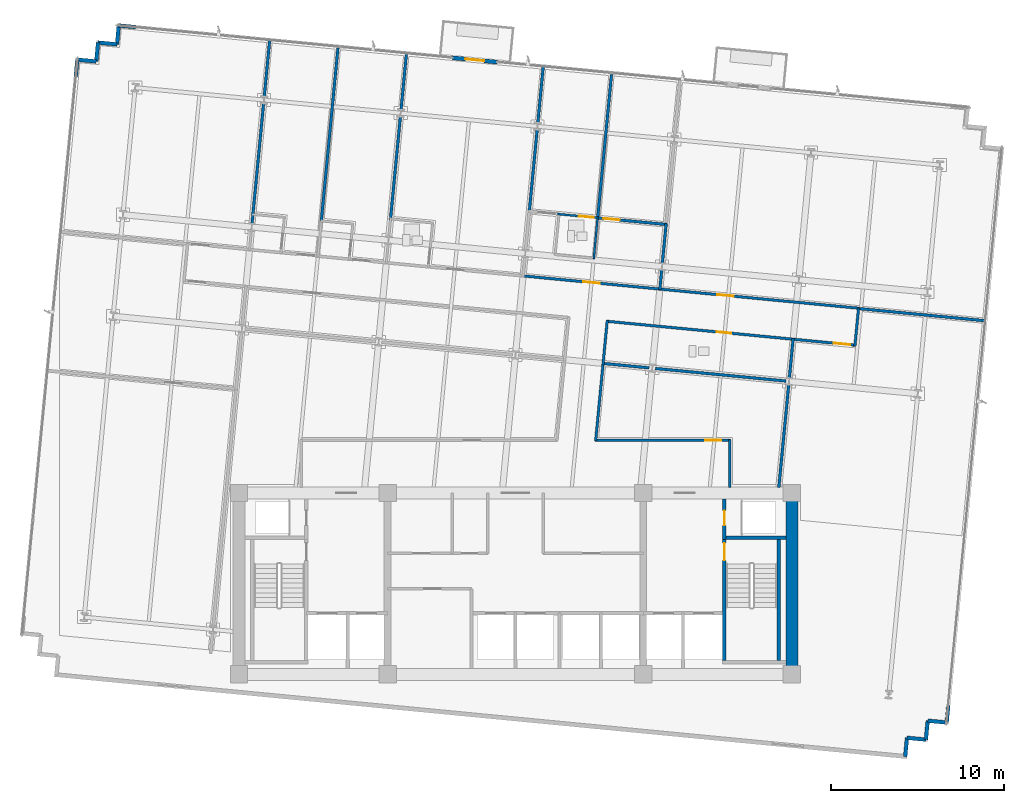
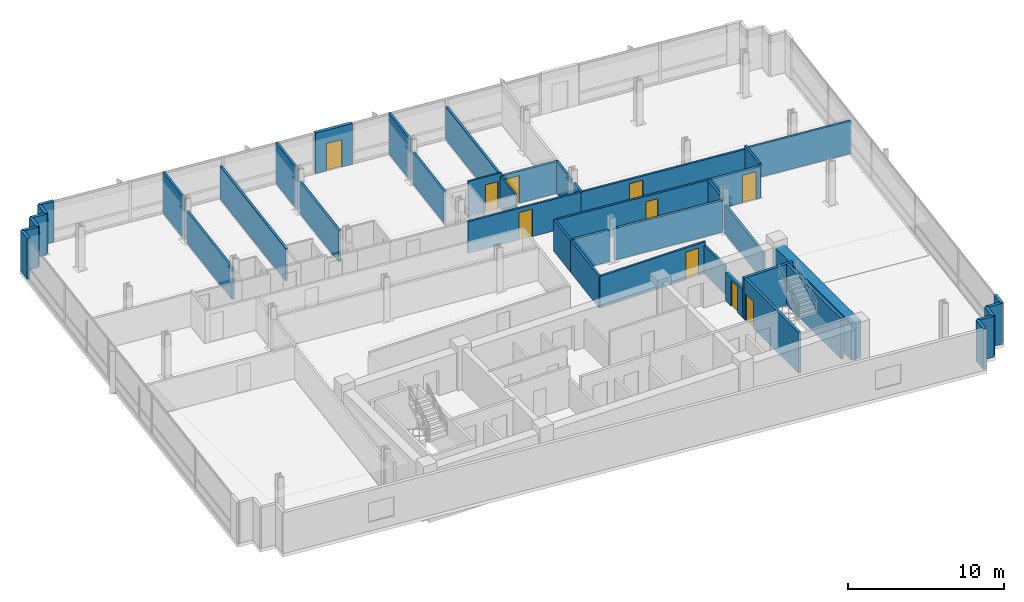
# One storey, part 12 of 17: 44 walls, 10 doors, 10 openings.
"""IFC4 building model written with IfcOpenShell, lengths in metres."""

from ifc_helpers import new_model, si_unit, direction, frame, frame_2d, origin, place, context, subcontext, project, spatial, rectangle, extrude, material, layer, layer_set, type_object, element, fill, save


model = new_model("IFC4")

# Units and contexts
model_context = context("Model", 3, precision=1e-05, world=origin(), true_north=direction((0.0, 1.0)))
body_context = subcontext(model_context, "Body", "Model", "MODEL_VIEW")
ifc_project = project(units=[si_unit("LENGTHUNIT", "METRE"), si_unit("AREAUNIT", "SQUARE_METRE"), si_unit("VOLUMEUNIT", "CUBIC_METRE"), si_unit("PLANEANGLEUNIT", "RADIAN"), si_unit("MASSUNIT", "GRAM", prefix="KILO")], contexts=[model_context])

# Site, building, storey
site_placement = place(None, origin())
site = spatial("IfcSite", under=ifc_project, at=site_placement, CompositionType="ELEMENT")
building_placement = place(site_placement, origin())
building = spatial("IfcBuilding", under=site, at=building_placement, Name="Solmavex Isthmus Hotel", CompositionType="ELEMENT")
storey_placement = place(building_placement, frame((0.0, 0.0, 156.60009765625)))
storey = spatial("IfcBuildingStorey", under=building, at=storey_placement, Name="L42", CompositionType="ELEMENT", Elevation=156.60009765625)

# Wall, opening, door
ifc_material_1 = material(Name="Precast Concrete C40/50", Category="concrete")
ifc_layer_1 = layer(ifc_material_1, 0.25)
ifc_layer_set_1 = layer_set([ifc_layer_1], Name="Precast Concrete C40/50")
wall_type_1 = type_object("IfcWallType", Name="EW-TWR-250", PredefinedType="STANDARD", material=ifc_layer_set_1)
wall_1_placement = place(storey_placement, frame((-3.64404296875, 22.698974609375, 0.0), z_axis=(0.0, 0.0, 1.0), x_axis=(0.995393186867, -0.095877022999, 0.0)))
wall_1 = element("IfcWall", 1, at=wall_1_placement, inside=storey, type_object=wall_type_1, Name="Exterior Balcony Door Wall L42-2", PredefinedType="STANDARD", context=body_context, shape_type="SweptSolid", body=[
    extrude(rectangle(XDim=2.599853515625, YDim=0.239990234375, at=frame_2d((1.2998046875, 0.0))), origin(), (0.0, 0.0, 1.0), 3.18994140625),
])
opening_1_placement = place(wall_1_placement, frame((0.75, 0.0, 0.0)))
opening_1 = element("IfcOpeningElement", 2, at=opening_1_placement, cuts=wall_1, Name="Opening ED-02", PredefinedType="OPENING", context=body_context, shape_type="SweptSolid", body=[
    extrude(rectangle(XDim=1.10009765625, YDim=2.14990234375, at=frame_2d((0.550048828125, 1.074951171875))), frame((0.0, 0.1298828125, 0.0), z_axis=(0.0, -1.0, 0.0), x_axis=(1.0, 0.0, 0.0)), (0.0, 0.0, 1.0), 0.260009765625),
])
ifc_material_2 = material(Name="Aluminium alloy 6063-T6", Category="aluminium")
door_type_1 = type_object("IfcDoorType", Name="EDR-BALC-1100", OperationType="NOTDEFINED", PredefinedType="DOOR", material=ifc_material_2)
door_1_placement = place(opening_1_placement, origin())
door_1 = element("IfcDoor", 3, at=door_1_placement, inside=storey, type_object=door_type_1, Name="Balcony & Terrace Glazed Door L42-2", OperationType="SINGLE_SWING_RIGHT", OverallHeight=2.14990234375, OverallWidth=1.10009765625, PredefinedType="DOOR", context=body_context, shape_type="SweptSolid", body=[
    extrude(rectangle(XDim=1.10009765625, YDim=2.14990234375, at=frame_2d((0.550048828125, 1.074951171875))), frame((0.0, 0.02490234375, 0.0), z_axis=(0.0, -1.0, 0.0), x_axis=(1.0, 0.0, 0.0)), (0.0, 0.0, 1.0), 0.050048828125),
])
fill(opening_1, door_1)

# Walls
wall_2_placement = place(storey_placement, frame((-25.46142578125, 21.60498046875, 0.0), z_axis=(0.0, 0.0, 1.0), x_axis=(0.095937974524, 0.995387314086, 0.0)))
element("IfcWall", 4, at=wall_2_placement, inside=storey, type_object=wall_type_1, Name="Serrated Corner Facade Panel L42-07", PredefinedType="STANDARD", context=body_context, shape_type="SweptSolid", body=[
    extrude(rectangle(XDim=0.989990234375, YDim=0.219970703125, at=frame_2d((0.4951171875, 0.0))), origin(), (0.0, 0.0, 1.0), 3.18994140625),
])
for number, where, z_axis, x_axis, name in (
    (5, (-25.366455078125, 22.59033203125, 0.0), (0.0, 0.0, 1.0), (0.995414313875, -0.095657429048, 0.0), "Serrated Corner Facade Panel L42-08"),
    (6, (-24.271484375, 22.485107421875, 0.0), (0.0, 0.0, 1.0), (0.095657429048, 0.995414313875, 0.0), "Serrated Corner Facade Panel L42-09"),
    (7, (-24.166259765625, 23.580078125, 0.0), (0.0, 0.0, 1.0), (0.995393156894, -0.095877334176, 0.0), "Serrated Corner Facade Panel L42-10"),
    (8, (-23.0712890625, 23.474609375, 0.0), (0.0, 0.0, 1.0), (0.095877334176, 0.995393156894, 0.0), "Serrated Corner Facade Panel L42-11"),
):
    element("IfcWall", number, at=place(storey_placement, frame(where, z_axis=z_axis, x_axis=x_axis)), inside=storey, type_object=wall_type_1, Name=name, PredefinedType="STANDARD", context=body_context, shape_type="SweptSolid", body=[
        extrude(rectangle(XDim=1.10009765625, YDim=0.219970703125, at=frame_2d((0.550048828125, 0.0))), origin(), (0.0, 0.0, 1.0), 3.18994140625),
    ])
wall_3_placement = place(storey_placement, frame((-22.9658203125, 24.569580078125, 0.0), z_axis=(0.0, 0.0, 1.0), x_axis=(0.995387314086, -0.095937974524, 0.0)))
element("IfcWall", 9, at=wall_3_placement, inside=storey, type_object=wall_type_1, Name="Serrated Corner Facade Panel L42-12", PredefinedType="STANDARD", context=body_context, shape_type="SweptSolid", body=[
    extrude(rectangle(XDim=0.989990234375, YDim=0.219970703125, at=frame_2d((0.4951171875, 0.0))), origin(), (0.0, 0.0, 1.0), 3.18994140625),
])
wall_4_placement = place(storey_placement, frame((25.0615234375, -14.804931640625, 0.0), z_axis=(0.0, 0.0, 1.0), x_axis=(-0.095914428506, -0.995389583231, 0.0)))
element("IfcWall", 10, at=wall_4_placement, inside=storey, type_object=wall_type_1, Name="Serrated Corner Facade Panel L42-21", PredefinedType="STANDARD", context=body_context, shape_type="SweptSolid", body=[
    extrude(rectangle(XDim=0.990234375, YDim=0.219970703125, at=frame_2d((0.4951171875, 0.0))), origin(), (0.0, 0.0, 1.0), 3.18994140625),
])
for number, where, z_axis, x_axis, name in (
    (11, (24.966552734375, -15.79052734375, 0.0), (0.0, 0.0, 1.0), (-0.995393156894, 0.095877334176, 0.0), "Serrated Corner Facade Panel L42-22"),
    (12, (23.87158203125, -15.68505859375, 0.0), (0.0, 0.0, 1.0), (-0.095877334176, -0.995393156894, 0.0), "Serrated Corner Facade Panel L42-23"),
    (13, (23.76611328125, -16.780029296875, 0.0), (0.0, 0.0, 1.0), (-0.995393156894, 0.095877334176, 0.0), "Serrated Corner Facade Panel L42-24"),
    (14, (22.671142578125, -16.674560546875, 0.0), (0.0, 0.0, 1.0), (-0.095657429048, -0.995414313875, 0.0), "Serrated Corner Facade Panel L42-25"),
):
    element("IfcWall", number, at=place(storey_placement, frame(where, z_axis=z_axis, x_axis=x_axis)), inside=storey, type_object=wall_type_1, Name=name, PredefinedType="STANDARD", context=body_context, shape_type="SweptSolid", body=[
        extrude(rectangle(XDim=1.10009765625, YDim=0.219970703125, at=frame_2d((0.550048828125, 0.0))), origin(), (0.0, 0.0, 1.0), 3.18994140625),
    ])
ifc_material_3 = material(Name="Gypsum plasterboard lining", Category="gypsum")
ifc_layer_2 = layer(ifc_material_3, 0.159912109375)
ifc_layer_set_2 = layer_set([ifc_layer_2], Name="Gypsum plasterboard lining")
wall_type_2 = type_object("IfcWallType", Name="IW-COMP-160", PredefinedType="PARTITIONING", material=ifc_layer_set_2)
wall_5_placement = place(storey_placement, frame((-14.57958984375, 20.0791015625, 0.0), z_axis=(0.0, 0.0, 1.0), x_axis=(-0.095849846802, -0.995395804124, 0.0)))
element("IfcWall", 15, at=wall_5_placement, inside=storey, type_object=wall_type_2, Name="Interior Partition Wall W-L42-P024", PredefinedType="PARTITIONING", context=body_context, shape_type="SweptSolid", body=[
    extrude(rectangle(XDim=7.040283203125, YDim=0.159912109375, at=frame_2d((3.52001953125, 0.0))), origin(), (0.0, 0.0, 1.0), 2.4794921875),
])
wall_6_placement = place(storey_placement, frame((-14.225341796875, 23.758056640625, 0.0), z_axis=(0.0, 0.0, 1.0), x_axis=(-0.095859866796, -0.995394839216, 0.0)))
element("IfcWall", 16, at=wall_6_placement, inside=storey, type_object=wall_type_2, Name="Interior Partition Wall W-L42-P025", PredefinedType="PARTITIONING", context=body_context, shape_type="SweptSolid", body=[
    extrude(rectangle(XDim=3.343994140625, YDim=0.159912109375, at=frame_2d((1.671875, 0.0))), origin(), (0.0, 0.0, 1.0), 3.18994140625),
])
wall_7_placement = place(storey_placement, frame((-10.277099609375, 23.25732421875, 0.0), z_axis=(0.0, 0.0, 1.0), x_axis=(-0.095852900965, -0.995395510024, 0.0)))
element("IfcWall", 17, at=wall_7_placement, inside=storey, type_object=wall_type_2, Name="Interior Partition Wall W-L42-P030", PredefinedType="PARTITIONING", context=body_context, shape_type="SweptSolid", body=[
    extrude(rectangle(XDim=10.132080078125, YDim=0.159912109375, at=frame_2d((5.06591796875, 0.0))), origin(), (0.0, 0.0, 1.0), 2.557373046875),
])
wall_8_placement = place(storey_placement, frame((-6.66015625, 19.31640625, 0.0), z_axis=(0.0, 0.0, 1.0), x_axis=(-0.095866807264, -0.995394170801, 0.0)))
element("IfcWall", 18, at=wall_8_placement, inside=storey, type_object=wall_type_2, Name="Interior Partition Wall W-L42-P034", PredefinedType="PARTITIONING", context=body_context, shape_type="SweptSolid", body=[
    extrude(rectangle(XDim=6.055908203125, YDim=0.159912109375, at=frame_2d((3.02783203125, 0.0))), origin(), (0.0, 0.0, 1.0), 2.4794921875),
])
wall_9_placement = place(storey_placement, frame((-6.305908203125, 22.995361328125, 0.0), z_axis=(0.0, 0.0, 1.0), x_axis=(-0.095859866796, -0.995394839216, 0.0)))
element("IfcWall", 19, at=wall_9_placement, inside=storey, type_object=wall_type_2, Name="Interior Partition Wall W-L42-P035", PredefinedType="PARTITIONING", context=body_context, shape_type="SweptSolid", body=[
    extrude(rectangle(XDim=3.343994140625, YDim=0.159912109375, at=frame_2d((1.671875, 0.0))), origin(), (0.0, 0.0, 1.0), 3.18994140625),
])
wall_10_placement = place(storey_placement, frame((1.259033203125, 18.553955078125, 0.0), z_axis=(0.0, 0.0, 1.0), x_axis=(-0.095833311996, -0.995397396175, 0.0)))
element("IfcWall", 20, at=wall_10_placement, inside=storey, type_object=wall_type_2, Name="Interior Partition Wall W-L42-P042", PredefinedType="PARTITIONING", context=body_context, shape_type="SweptSolid", body=[
    extrude(rectangle(XDim=4.847900390625, YDim=0.159912109375, at=frame_2d((2.423828125, 0.0))), origin(), (0.0, 0.0, 1.0), 2.4794921875),
])
wall_11_placement = place(storey_placement, frame((1.61328125, 22.23291015625, 0.0), z_axis=(0.0, 0.0, 1.0), x_axis=(-0.095787528641, -0.99540180297, 0.0)))
element("IfcWall", 21, at=wall_11_placement, inside=storey, type_object=wall_type_2, Name="Interior Partition Wall W-L42-P043", PredefinedType="PARTITIONING", context=body_context, shape_type="SweptSolid", body=[
    extrude(rectangle(XDim=3.343994140625, YDim=0.159912109375, at=frame_2d((1.671875, 0.0))), origin(), (0.0, 0.0, 1.0), 3.18994140625),
])

# Wall, opening, door
wall_12_placement = place(storey_placement, frame((4.712158203125, 13.433349609375, 0.0), z_axis=(0.0, 0.0, 1.0), x_axis=(0.995396485523, -0.095842770251, 0.0)))
wall_12 = element("IfcWall", 22, at=wall_12_placement, inside=storey, type_object=wall_type_2, Name="Interior Partition Wall W-L42-P045", PredefinedType="PARTITIONING", context=body_context, shape_type="SweptSolid", body=[
    extrude(rectangle(XDim=4.068115234375, YDim=0.159912109375, at=frame_2d((2.0341796875, 0.0))), origin(), (0.0, 0.0, 1.0), 2.4794921875),
])
opening_2_placement = place(wall_12_placement, frame((0.386474609375, 0.0, 0.0)))
opening_2 = element("IfcOpeningElement", 23, at=opening_2_placement, cuts=wall_12, Name="Opening ID-C095", PredefinedType="OPENING", context=body_context, shape_type="SweptSolid", body=[
    extrude(rectangle(XDim=0.949951171875, YDim=2.14990234375, at=frame_2d((0.47509765625, 1.074951171875))), frame((0.0, 0.08984375, 0.0), z_axis=(0.0, -1.0, 0.0), x_axis=(1.0, 0.0, 0.0)), (0.0, 0.0, 1.0), 0.179931640625),
])
ifc_material_4 = material(Name="Hardwood timber", Category="wood")
door_type_2 = type_object("IfcDoorType", Name="IDR-FD60-0950", OperationType="NOTDEFINED", PredefinedType="DOOR", material=ifc_material_4)
door_2_placement = place(opening_2_placement, origin())
door_2 = element("IfcDoor", 24, at=door_2_placement, inside=storey, type_object=door_type_2, Name="Ambassador Suite Sitting Lounge Door L42-10", OperationType="SINGLE_SWING_RIGHT", OverallHeight=2.14990234375, OverallWidth=0.949951171875, PredefinedType="DOOR", context=body_context, shape_type="SweptSolid", body=[
    extrude(rectangle(XDim=0.949951171875, YDim=2.14990234375, at=frame_2d((0.47509765625, 1.074951171875))), frame((0.0, 0.02490234375, 0.0), z_axis=(0.0, -1.0, 0.0), x_axis=(1.0, 0.0, 0.0)), (0.0, 0.0, 1.0), 0.050048828125),
])
fill(opening_2, door_2)

# Walls
wall_13_placement = place(storey_placement, frame((8.469970703125, 10.433349609375, 0.0), z_axis=(0.0, 0.0, 1.0), x_axis=(-0.095831494917, -0.995397571115, 0.0)))
element("IfcWall", 25, at=wall_13_placement, inside=storey, type_object=wall_type_2, Name="Interior Partition Wall W-L42-P049", PredefinedType="PARTITIONING", context=body_context, shape_type="SweptSolid", body=[
    extrude(rectangle(XDim=1.171875, YDim=0.159912109375, at=frame_2d((0.5859375, 0.0))), origin(), (0.0, 0.0, 1.0), 2.4794921875),
])
wall_14_placement = place(storey_placement, frame((8.7255859375, 13.087158203125, 0.0), z_axis=(0.0, 0.0, 1.0), x_axis=(-0.095899358877, -0.995391035205, 0.0)))
element("IfcWall", 26, at=wall_14_placement, inside=storey, type_object=wall_type_2, Name="Interior Partition Wall W-L42-P050", PredefinedType="PARTITIONING", context=body_context, shape_type="SweptSolid", body=[
    extrude(rectangle(XDim=2.314208984375, YDim=0.159912109375, at=frame_2d((1.1572265625, 0.0))), origin(), (0.0, 0.0, 1.0), 2.4794921875),
])
wall_15_placement = place(storey_placement, frame((5.5615234375, 21.732177734375, 0.0), z_axis=(0.0, 0.0, 1.0), x_axis=(-0.095826179736, -0.995398082818, 0.0)))
element("IfcWall", 27, at=wall_15_placement, inside=storey, type_object=wall_type_2, Name="Interior Partition Wall W-L42-P051", PredefinedType="PARTITIONING", context=body_context, shape_type="SweptSolid", body=[
    extrude(rectangle(XDim=8.382080078125, YDim=0.159912109375, at=frame_2d((4.19091796875, 0.0))), origin(), (0.0, 0.0, 1.0), 2.557373046875),
])
wall_16_placement = place(storey_placement, frame((27.236328125, 7.468994140625, 0.0), z_axis=(0.0, 0.0, 1.0), x_axis=(-0.995396228159, 0.095845443117, 0.0)))
element("IfcWall", 28, at=wall_16_placement, inside=storey, type_object=wall_type_2, Name="Interior Partition Wall W-L42-P055", PredefinedType="PARTITIONING", context=body_context, shape_type="SweptSolid", body=[
    extrude(rectangle(XDim=7.447998046875, YDim=0.159912109375, at=frame_2d((3.72412109375, 0.0))), origin(), (0.0, 0.0, 1.0), 2.557373046875),
])
wall_17_placement = place(storey_placement, frame((7.745361328125, 4.74462890625, 0.0), z_axis=(0.0, 0.0, 1.0), x_axis=(-0.995392910691, 0.095879890208, 0.0)))
element("IfcWall", 29, at=wall_17_placement, inside=storey, type_object=wall_type_2, Name="Interior Partition Wall W-L42-P056", PredefinedType="PARTITIONING", context=body_context, shape_type="SweptSolid", body=[
    extrude(rectangle(XDim=2.721923828125, YDim=0.159912109375, at=frame_2d((1.36083984375, 0.0))), origin(), (0.0, 0.0, 1.0), 2.4794921875),
])
wall_18_placement = place(storey_placement, frame((15.664794921875, 3.982177734375, 0.0), z_axis=(0.0, 0.0, 1.0), x_axis=(-0.995396667246, 0.095840882902, 0.0)))
element("IfcWall", 30, at=wall_18_placement, inside=storey, type_object=wall_type_2, Name="Interior Partition Wall W-L42-P057", PredefinedType="PARTITIONING", context=body_context, shape_type="SweptSolid", body=[
    extrude(rectangle(XDim=7.603759765625, YDim=0.159912109375, at=frame_2d((3.8017578125, 0.0))), origin(), (0.0, 0.0, 1.0), 2.4794921875),
])
wall_19_placement = place(storey_placement, frame((16.07861328125, 6.44384765625, 0.0), z_axis=(0.0, 0.0, 1.0), x_axis=(-0.095794827695, -0.995401100555, 0.0)))
element("IfcWall", 31, at=wall_19_placement, inside=storey, type_object=wall_type_2, Name="Interior Partition Wall W-L42-P058", PredefinedType="PARTITIONING", context=body_context, shape_type="SweptSolid", body=[
    extrude(rectangle(XDim=2.314208984375, YDim=0.159912109375, at=frame_2d((1.1572265625, 0.0))), origin(), (0.0, 0.0, 1.0), 2.4794921875),
])
wall_20_placement = place(storey_placement, frame((15.8232421875, 3.7900390625, 0.0), z_axis=(0.0, 0.0, 1.0), x_axis=(-0.095865726078, -0.99539427493, 0.0)))
element("IfcWall", 32, at=wall_20_placement, inside=storey, type_object=wall_type_2, Name="Interior Partition Wall W-L42-P063", PredefinedType="PARTITIONING", context=body_context, shape_type="SweptSolid", body=[
    extrude(rectangle(XDim=6.007568359375, YDim=0.159912109375, at=frame_2d((3.00390625, 0.0))), origin(), (0.0, 0.0, 1.0), 2.224853515625),
])

# Wall, opening, door
ifc_layer_3 = layer(ifc_material_3, 0.14990234375)
ifc_layer_set_3 = layer_set([ifc_layer_3], Name="Gypsum plasterboard lining")
wall_type_3 = type_object("IfcWallType", Name="IW-CORR-150", PredefinedType="PARTITIONING", material=ifc_layer_set_3)
wall_21_placement = place(storey_placement, frame((0.360595703125, 10.076904296875, 0.0), z_axis=(0.0, 0.0, 1.0), x_axis=(0.995398335831, -0.09582355151, 0.0)))
wall_21 = element("IfcWall", 33, at=wall_21_placement, inside=storey, type_object=wall_type_3, Name="Interior Partition Wall W-L42-P008", PredefinedType="PARTITIONING", context=body_context, shape_type="SweptSolid", body=[
    extrude(rectangle(XDim=8.119873046875, YDim=0.14990234375, at=frame_2d((4.06005859375, 0.0))), origin(), (0.0, 0.0, 1.0), 2.4794921875),
])
opening_3_placement = place(wall_21_placement, frame((3.5849609375, 0.0, 0.0)))
opening_3 = element("IfcOpeningElement", 34, at=opening_3_placement, cuts=wall_21, Name="Opening ID-C095", PredefinedType="OPENING", context=body_context, shape_type="SweptSolid", body=[
    extrude(rectangle(XDim=0.949951171875, YDim=2.14990234375, at=frame_2d((0.47509765625, 1.074951171875))), frame((0.0, 0.0849609375, 0.0), z_axis=(0.0, -1.0, 0.0), x_axis=(1.0, 0.0, 0.0)), (0.0, 0.0, 1.0), 0.169921875),
])
door_3_placement = place(opening_3_placement, frame((0.949951171875, 0.0, 0.0), z_axis=(0.0, 0.0, 1.0), x_axis=(-1.0, 0.0, 0.0)))
door_3 = element("IfcDoor", 35, at=door_3_placement, inside=storey, type_object=door_type_2, Name="Ambassador Suite Reception Foyer Door L42-08", OperationType="SINGLE_SWING_RIGHT", OverallHeight=2.14990234375, OverallWidth=0.949951171875, PredefinedType="DOOR", context=body_context, shape_type="SweptSolid", body=[
    extrude(rectangle(XDim=0.949951171875, YDim=2.14990234375, at=frame_2d((0.47509765625, 1.074951171875))), frame((0.0, 0.02490234375, 0.0), z_axis=(0.0, -1.0, 0.0), x_axis=(1.0, 0.0, 0.0)), (0.0, 0.0, 1.0), 0.050048828125),
])
fill(opening_3, door_3)

wall_22_placement = place(storey_placement, frame((8.280029296875, 9.314453125, 0.0), z_axis=(0.0, 0.0, 1.0), x_axis=(0.995395229283, -0.095855816312, 0.0)))
wall_22 = element("IfcWall", 36, at=wall_22_placement, inside=storey, type_object=wall_type_3, Name="Interior Partition Wall W-L42-P009", PredefinedType="PARTITIONING", context=body_context, shape_type="SweptSolid", body=[
    extrude(rectangle(XDim=11.677734375, YDim=0.14990234375, at=frame_2d((5.8388671875, 0.0))), origin(), (0.0, 0.0, 1.0), 2.4794921875),
])
opening_4_placement = place(wall_22_placement, frame((3.41552734375, 0.0, 0.0)))
opening_4 = element("IfcOpeningElement", 37, at=opening_4_placement, cuts=wall_22, Name="Opening ID-C095", PredefinedType="OPENING", context=body_context, shape_type="SweptSolid", body=[
    extrude(rectangle(XDim=0.949951171875, YDim=2.14990234375, at=frame_2d((0.47509765625, 1.074951171875))), frame((0.0, 0.0849609375, 0.0), z_axis=(0.0, -1.0, 0.0), x_axis=(1.0, 0.0, 0.0)), (0.0, 0.0, 1.0), 0.169921875),
])
door_4_placement = place(opening_4_placement, frame((0.949951171875, 0.0, 0.0), z_axis=(0.0, 0.0, 1.0), x_axis=(-1.0, 0.0, 0.0)))
door_4 = element("IfcDoor", 38, at=door_4_placement, inside=storey, type_object=door_type_2, Name="Corporate Briefing Office Door L42-12", OperationType="SINGLE_SWING_RIGHT", OverallHeight=2.14990234375, OverallWidth=0.949951171875, PredefinedType="DOOR", context=body_context, shape_type="SweptSolid", body=[
    extrude(rectangle(XDim=0.949951171875, YDim=2.14990234375, at=frame_2d((0.47509765625, 1.074951171875))), frame((0.0, 0.02490234375, 0.0), z_axis=(0.0, -1.0, 0.0), x_axis=(1.0, 0.0, 0.0)), (0.0, 0.0, 1.0), 0.050048828125),
])
fill(opening_4, door_4)

wall_23_placement = place(storey_placement, frame((16.156494140625, 6.39599609375, 0.0), z_axis=(0.0, 0.0, 1.0), x_axis=(-0.99539478422, 0.095860437863, 0.0)))
wall_23 = element("IfcWall", 39, at=wall_23_placement, inside=storey, type_object=wall_type_3, Name="Interior Partition Wall W-L42-P010", PredefinedType="PARTITIONING", context=body_context, shape_type="SweptSolid", body=[
    extrude(rectangle(XDim=10.93603515625, YDim=0.14990234375, at=frame_2d((5.468017578125, 0.0))), origin(), (0.0, 0.0, 1.0), 2.4794921875),
])
opening_5_placement = place(wall_23_placement, frame((3.675048828125, 0.0, 0.0)))
opening_5 = element("IfcOpeningElement", 40, at=opening_5_placement, cuts=wall_23, Name="Opening ID-R085", PredefinedType="OPENING", context=body_context, shape_type="SweptSolid", body=[
    extrude(rectangle(XDim=0.85009765625, YDim=2.050048828125, at=frame_2d((0.425048828125, 1.02490234375))), frame((0.0, 0.0849609375, 0.0), z_axis=(0.0, -1.0, 0.0), x_axis=(1.0, 0.0, 0.0)), (0.0, 0.0, 1.0), 0.169921875),
])
ifc_material_5 = material(Name="Steel ASTM A500 Grade C", Category="steel")
door_type_3 = type_object("IfcDoorType", Name="IDR-FD60-0850", OperationType="NOTDEFINED", PredefinedType="DOOR", material=ifc_material_5)
door_5_placement = place(opening_5_placement, frame((0.85009765625, 0.0, 0.0), z_axis=(0.0, 0.0, 1.0), x_axis=(-1.0, 0.0, 0.0)))
door_5 = element("IfcDoor", 41, at=door_5_placement, inside=storey, type_object=door_type_3, Name="Accessible Public Restroom WC Door L42-13", OperationType="SINGLE_SWING_LEFT", OverallHeight=2.050048828125, OverallWidth=0.85009765625, PredefinedType="DOOR", context=body_context, shape_type="SweptSolid", body=[
    extrude(rectangle(XDim=0.85009765625, YDim=2.050048828125, at=frame_2d((0.425048828125, 1.02490234375))), frame((0.0, 0.02490234375, 0.0), z_axis=(0.0, -1.0, 0.0), x_axis=(1.0, 0.0, 0.0)), (0.0, 0.0, 1.0), 0.050048828125),
])
fill(opening_5, door_5)

# Walls
wall_24_placement = place(storey_placement, frame((5.314453125, 7.480224609375, 0.0), z_axis=(0.0, 0.0, 1.0), x_axis=(-0.09587519517, -0.995393362923, 0.0)))
element("IfcWall", 42, at=wall_24_placement, inside=storey, type_object=wall_type_3, Name="Interior Partition Wall W-L42-P011", PredefinedType="PARTITIONING", context=body_context, shape_type="SweptSolid", body=[
    extrude(rectangle(XDim=2.572021484375, YDim=0.14990234375, at=frame_2d((1.2861328125, 0.0))), origin(), (0.0, 0.0, 1.0), 2.4794921875),
])
wall_25_placement = place(storey_placement, frame((5.083740234375, 5.083251953125, 0.0), z_axis=(0.0, 0.0, 1.0), x_axis=(-0.095867331855, -0.995394120277, 0.0)))
element("IfcWall", 43, at=wall_25_placement, inside=storey, type_object=wall_type_3, Name="Interior Partition Wall W-L42-P014", PredefinedType="PARTITIONING", context=body_context, shape_type="SweptSolid", body=[
    extrude(rectangle(XDim=4.59423828125, YDim=0.14990234375, at=frame_2d((2.297119140625, 0.0))), origin(), (0.0, 0.0, 1.0), 2.4794921875),
])

# Wall, opening, door
wall_26_placement = place(storey_placement, frame((4.607177734375, 0.550048828125, 0.0), z_axis=(0.0, 0.0, 1.0), x_axis=(1.0, 0.0, 0.0)))
wall_26 = element("IfcWall", 44, at=wall_26_placement, inside=storey, type_object=wall_type_3, Name="Interior Partition Wall W-L42-P015", PredefinedType="PARTITIONING", context=body_context, shape_type="SweptSolid", body=[
    extrude(rectangle(XDim=7.832763671875, YDim=0.14990234375, at=frame_2d((3.91650390625, 0.0))), origin(), (0.0, 0.0, 1.0), 2.4794921875),
])
opening_6_placement = place(wall_26_placement, frame((6.3720703125, 0.0, 0.0)))
opening_6 = element("IfcOpeningElement", 45, at=opening_6_placement, cuts=wall_26, Name="Opening ID-C095", PredefinedType="OPENING", context=body_context, shape_type="SweptSolid", body=[
    extrude(rectangle(XDim=0.949951171875, YDim=2.14990234375, at=frame_2d((0.47509765625, 1.074951171875))), frame((0.0, 0.0849609375, 0.0), z_axis=(0.0, -1.0, 0.0), x_axis=(1.0, 0.0, 0.0)), (0.0, 0.0, 1.0), 0.169921875),
])
door_6_placement = place(opening_6_placement, origin())
door_6 = element("IfcDoor", 46, at=door_6_placement, inside=storey, type_object=door_type_2, Name="Seminar Meeting Room Door L42-15", OperationType="SINGLE_SWING_LEFT", OverallHeight=2.14990234375, OverallWidth=0.949951171875, PredefinedType="DOOR", context=body_context, shape_type="SweptSolid", body=[
    extrude(rectangle(XDim=0.949951171875, YDim=2.14990234375, at=frame_2d((0.47509765625, 1.074951171875))), frame((0.0, 0.02490234375, 0.0), z_axis=(0.0, -1.0, 0.0), x_axis=(1.0, 0.0, 0.0)), (0.0, 0.0, 1.0), 0.050048828125),
])
fill(opening_6, door_6)

# Walls
wall_27_placement = place(storey_placement, frame((12.39990234375, 0.590087890625, 0.0), z_axis=(0.0, 0.0, 1.0), x_axis=(0.0, -1.0, 0.0)))
element("IfcWall", 47, at=wall_27_placement, inside=storey, type_object=wall_type_3, Name="Interior Partition Wall W-L42-P016", PredefinedType="PARTITIONING", context=body_context, shape_type="SweptSolid", body=[
    extrude(rectangle(XDim=2.780029296875, YDim=0.14990234375, at=frame_2d((1.39013671875, 0.0))), origin(), (0.0, 0.0, 1.0), 2.224853515625),
])
wall_28_placement = place(storey_placement, frame((19.8662109375, 8.218994140625, 0.0), z_axis=(0.0, 0.0, 1.0), x_axis=(-0.095773447772, -0.995403157872, 0.0)))
element("IfcWall", 48, at=wall_28_placement, inside=storey, type_object=wall_type_3, Name="Interior Partition Wall W-L42-P022", PredefinedType="PARTITIONING", context=body_context, shape_type="SweptSolid", body=[
    extrude(rectangle(XDim=2.210205078125, YDim=0.14990234375, at=frame_2d((1.10498046875, 0.0))), origin(), (0.0, 0.0, 1.0), 2.718017578125),
])

# Wall, opening, door
wall_29_placement = place(storey_placement, frame((19.697998046875, 6.05517578125, 0.0), z_axis=(0.0, 0.0, 1.0), x_axis=(-0.995397364202, 0.095833644092, 0.0)))
wall_29 = element("IfcWall", 49, at=wall_29_placement, inside=storey, type_object=wall_type_3, Name="Interior Partition Wall W-L42-P023", PredefinedType="PARTITIONING", context=body_context, shape_type="SweptSolid", body=[
    extrude(rectangle(XDim=3.721923828125, YDim=0.14990234375, at=frame_2d((1.86083984375, 0.0))), origin(), (0.0, 0.0, 1.0), 2.4794921875),
])
opening_7_placement = place(wall_29_placement, frame((0.315185546875, 0.0, 0.0)))
opening_7 = element("IfcOpeningElement", 50, at=opening_7_placement, cuts=wall_29, Name="Opening ID-C095", PredefinedType="OPENING", context=body_context, shape_type="SweptSolid", body=[
    extrude(rectangle(XDim=0.949951171875, YDim=2.14990234375, at=frame_2d((0.47509765625, 1.074951171875))), frame((0.0, 0.0849609375, 0.0), z_axis=(0.0, -1.0, 0.0), x_axis=(1.0, 0.0, 0.0)), (0.0, 0.0, 1.0), 0.169921875),
])
door_7_placement = place(opening_7_placement, frame((0.949951171875, 0.0, 0.0), z_axis=(0.0, 0.0, 1.0), x_axis=(-1.0, 0.0, 0.0)))
door_7 = element("IfcDoor", 51, at=door_7_placement, inside=storey, type_object=door_type_2, Name="Executive Hospitality Lounge Door L42-18", OperationType="SINGLE_SWING_RIGHT", OverallHeight=2.14990234375, OverallWidth=0.949951171875, PredefinedType="DOOR", context=body_context, shape_type="SweptSolid", body=[
    extrude(rectangle(XDim=0.949951171875, YDim=2.14990234375, at=frame_2d((0.47509765625, 1.074951171875))), frame((0.0, 0.02490234375, 0.0), z_axis=(0.0, -1.0, 0.0), x_axis=(1.0, 0.0, 0.0)), (0.0, 0.0, 1.0), 0.050048828125),
])
fill(opening_7, door_7)

# Wall
ifc_layer_4 = layer(ifc_material_3, 0.1201171875)
ifc_layer_set_4 = layer_set([ifc_layer_4], Name="Gypsum plasterboard lining")
wall_type_4 = type_object("IfcWallType", Name="IW-PART-120", PredefinedType="PARTITIONING", material=ifc_layer_set_4)
wall_30_placement = place(storey_placement, frame((4.533203125, 11.049560546875, 0.0), z_axis=(0.0, 0.0, 1.0), x_axis=(0.091622673793, 0.995793796751, 0.0)))
element("IfcWall", 52, at=wall_30_placement, inside=storey, type_object=wall_type_4, Name="Interior Partition Wall W-L42-P048", PredefinedType="PARTITIONING", context=body_context, shape_type="SweptSolid", body=[
    extrude(rectangle(XDim=2.43017578125, YDim=0.1201171875, at=frame_2d((1.215087890625, 0.0))), origin(), (0.0, 0.0, 1.0), 2.4794921875),
])

# Wall, opening, door
wall_31_placement = place(storey_placement, frame((4.8017578125, 13.4248046875, 0.0), z_axis=(0.0, 0.0, 1.0), x_axis=(-0.995398273854, 0.095824195322, 0.0)))
wall_31 = element("IfcWall", 53, at=wall_31_placement, inside=storey, type_object=wall_type_4, Name="Interior Partition Wall W-L42-P052", PredefinedType="PARTITIONING", context=body_context, shape_type="SweptSolid", body=[
    extrude(rectangle(XDim=2.3720703125, YDim=0.1201171875, at=frame_2d((1.18603515625, 0.0))), origin(), (0.0, 0.0, 1.0), 2.718017578125),
])
opening_8_placement = place(wall_31_placement, frame((0.27978515625, 0.0, 0.0)))
opening_8 = element("IfcOpeningElement", 54, at=opening_8_placement, cuts=wall_31, Name="Opening ID-U085", PredefinedType="OPENING", context=body_context, shape_type="SweptSolid", body=[
    extrude(rectangle(XDim=0.85009765625, YDim=2.10009765625, at=frame_2d((0.425048828125, 1.050048828125))), frame((0.0, 0.070068359375, 0.0), z_axis=(0.0, -1.0, 0.0), x_axis=(1.0, 0.0, 0.0)), (0.0, 0.0, 1.0), 0.14013671875),
])
door_type_4 = type_object("IfcDoorType", Name="IDR-UNR-0850", OperationType="NOTDEFINED", PredefinedType="DOOR", material=ifc_material_4)
door_8_placement = place(opening_8_placement, frame((0.85009765625, 0.0, 0.0), z_axis=(0.0, 0.0, 1.0), x_axis=(-1.0, 0.0, 0.0)))
door_8 = element("IfcDoor", 55, at=door_8_placement, inside=storey, type_object=door_type_4, Name="En-suite Bathroom Door L42-11", OperationType="SINGLE_SWING_LEFT", OverallHeight=2.10009765625, OverallWidth=0.85009765625, PredefinedType="DOOR", context=body_context, shape_type="SweptSolid", body=[
    extrude(rectangle(XDim=0.85009765625, YDim=2.10009765625, at=frame_2d((0.425048828125, 1.050048828125))), frame((0.0, 0.02490234375, 0.0), z_axis=(0.0, -1.0, 0.0), x_axis=(1.0, 0.0, 0.0)), (0.0, 0.0, 1.0), 0.050048828125),
])
fill(opening_8, door_8)

ifc_material_6 = material(Name="Concrete C40/50", Category="concrete")
ifc_layer_5 = layer(ifc_material_6, 0.199951171875)
ifc_layer_set_5 = layer_set([ifc_layer_5], Name="Concrete C40/50")
wall_type_5 = type_object("IfcWallType", Name="IW-SHAFT-200", PredefinedType="PARTITIONING", material=ifc_layer_set_5)
wall_32_placement = place(storey_placement, frame((12.10009765625, -5.199951171875, 0.0), z_axis=(0.0, 0.0, 1.0), x_axis=(0.0, 1.0, 0.0)))
wall_32 = element("IfcWall", 56, at=wall_32_placement, inside=storey, type_object=wall_type_5, Name="Interior Partition Wall W-L42-RSE-W", PredefinedType="PARTITIONING", context=body_context, shape_type="SweptSolid", body=[
    extrude(rectangle(XDim=2.349853515625, YDim=0.199951171875, at=frame_2d((1.1748046875, 0.0))), origin(), (0.0, 0.0, 1.0), 2.224853515625),
])
opening_9_placement = place(wall_32_placement, frame((0.824951171875, 0.0, 0.0)))
opening_9 = element("IfcOpeningElement", 57, at=opening_9_placement, cuts=wall_32, Name="Opening ID-R085", PredefinedType="OPENING", context=body_context, shape_type="SweptSolid", body=[
    extrude(rectangle(XDim=0.85009765625, YDim=2.050048828125, at=frame_2d((0.425048828125, 1.02490234375))), frame((0.0, 0.10986328125, 0.0), z_axis=(0.0, -1.0, 0.0), x_axis=(1.0, 0.0, 0.0)), (0.0, 0.0, 1.0), 0.219970703125),
])
door_9_placement = place(opening_9_placement, frame((0.85009765625, 0.0, 0.0), z_axis=(0.0, 0.0, 1.0), x_axis=(-1.0, 0.0, 0.0)))
door_9 = element("IfcDoor", 58, at=door_9_placement, inside=storey, type_object=door_type_3, Name="Mechanical Riser Door L42", OperationType="SINGLE_SWING_LEFT", OverallHeight=2.050048828125, OverallWidth=0.85009765625, PredefinedType="DOOR", context=body_context, shape_type="SweptSolid", body=[
    extrude(rectangle(XDim=0.85009765625, YDim=2.050048828125, at=frame_2d((0.425048828125, 1.02490234375))), frame((0.0, 0.02490234375, 0.0), z_axis=(0.0, -1.0, 0.0), x_axis=(1.0, 0.0, 0.0)), (0.0, 0.0, 1.0), 0.050048828125),
])
fill(opening_9, door_9)

# Walls
ifc_material_7 = material(Name="Concrete C60/75", Category="concrete")
ifc_layer_6 = layer(ifc_material_7, 0.699951171875)
ifc_layer_set_6 = layer_set([ifc_layer_6], Name="Concrete C60/75")
wall_type_6 = type_object("IfcWallType", Name="WALL-CW-700", PredefinedType="SHEAR", material=ifc_layer_set_6)
wall_33_placement = place(storey_placement, frame((16.0, -12.64990234375, 0.0), z_axis=(0.0, 0.0, 1.0), x_axis=(0.0, 1.0, 0.0)))
element("IfcWall", 59, at=wall_33_placement, inside=storey, type_object=wall_type_6, Name="Core Shear Wall East L42", PredefinedType="SHEAR", context=body_context, shape_type="SweptSolid", body=[
    extrude(rectangle(XDim=9.7998046875, YDim=0.699951171875, at=frame_2d((4.89990234375, 0.0))), origin(), (0.0, 0.0, 1.0), 2.909912109375),
])
ifc_layer_7 = layer(ifc_material_6, 0.199951171875)
ifc_layer_set_7 = layer_set([ifc_layer_7], Name="Concrete C40/50")
wall_type_7 = type_object("IfcWallType", Name="WALL-SW-200", PredefinedType="SOLIDWALL", material=ifc_layer_set_7)
wall_34_placement = place(storey_placement, frame((12.0, -5.10009765625, 0.0), z_axis=(0.0, 0.0, 1.0), x_axis=(1.0, 0.0, 0.0)))
element("IfcWall", 60, at=wall_34_placement, inside=storey, type_object=wall_type_7, Name="Stairwell Structural Wall SW-L42-ST2-N", PredefinedType="SOLIDWALL", context=body_context, shape_type="SweptSolid", body=[
    extrude(rectangle(XDim=3.64990234375, YDim=0.199951171875, at=frame_2d((1.824951171875, 0.0))), origin(), (0.0, 0.0, 1.0), 3.18994140625),
])

# Wall, opening, door
wall_35_placement = place(storey_placement, frame((12.10009765625, -12.199951171875, 0.0), z_axis=(0.0, 0.0, 1.0), x_axis=(0.0, 1.0, 0.0)))
wall_35 = element("IfcWall", 61, at=wall_35_placement, inside=storey, type_object=wall_type_7, Name="Stairwell Structural Wall SW-L42-ST2-W", PredefinedType="SOLIDWALL", context=body_context, shape_type="SweptSolid", body=[
    extrude(rectangle(XDim=7.0, YDim=0.199951171875, at=frame_2d((3.5, 0.0))), origin(), (0.0, 0.0, 1.0), 3.18994140625),
])
opening_10_placement = place(wall_35_placement, frame((5.800048828125, 0.0, 0.0)))
opening_10 = element("IfcOpeningElement", 62, at=opening_10_placement, cuts=wall_35, Name="Opening ID-F100", PredefinedType="OPENING", context=body_context, shape_type="SweptSolid", body=[
    extrude(rectangle(XDim=1.0, YDim=2.10009765625, at=frame_2d((0.5, 1.050048828125))), frame((0.0, 0.10986328125, 0.0), z_axis=(0.0, -1.0, 0.0), x_axis=(1.0, 0.0, 0.0)), (0.0, 0.0, 1.0), 0.219970703125),
])
door_type_5 = type_object("IfcDoorType", Name="IDR-FD90-1000", OperationType="NOTDEFINED", PredefinedType="DOOR", material=ifc_material_5)
door_10_placement = place(opening_10_placement, origin())
door_10 = element("IfcDoor", 63, at=door_10_placement, inside=storey, type_object=door_type_5, Name="Stair ST-2 Fire Door L42", OperationType="SINGLE_SWING_RIGHT", OverallHeight=2.10009765625, OverallWidth=1.0, PredefinedType="DOOR", context=body_context, shape_type="SweptSolid", body=[
    extrude(rectangle(XDim=1.0, YDim=2.10009765625, at=frame_2d((0.5, 1.050048828125))), frame((0.0, 0.02490234375, 0.0), z_axis=(0.0, -1.0, 0.0), x_axis=(1.0, 0.0, 0.0)), (0.0, 0.0, 1.0), 0.050048828125),
])
fill(opening_10, door_10)

# Wall
wall_36_placement = place(storey_placement, frame((15.25, -12.199951171875, 0.0), z_axis=(0.0, 0.0, 1.0), x_axis=(0.0, 1.0, 0.0)))
element("IfcWall", 64, at=wall_36_placement, inside=storey, type_object=wall_type_7, Name="Stairwell Structural Wall SW-L42-ST2-E", PredefinedType="SOLIDWALL", context=body_context, shape_type="SweptSolid", body=[
    extrude(rectangle(XDim=7.0, YDim=0.199951171875, at=frame_2d((3.5, 0.0))), origin(), (0.0, 0.0, 1.0), 3.18994140625),
])

save(model, "model.ifc")
